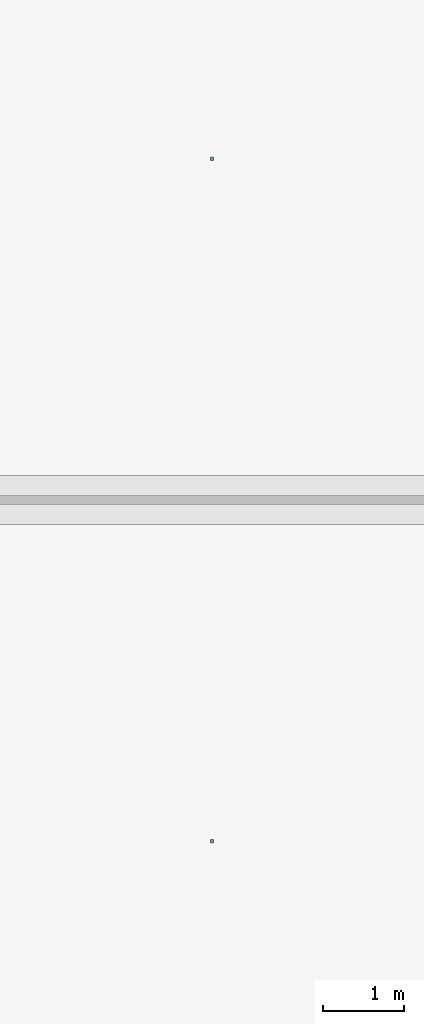
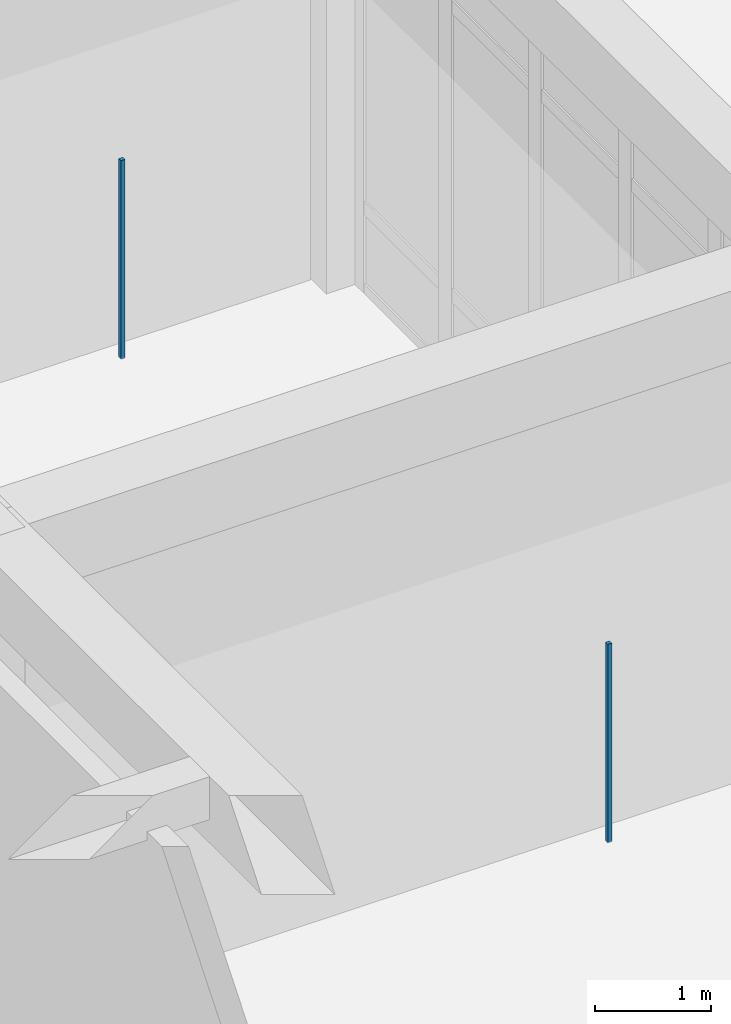
# One storey, part 87 of 167: 2 discrete accessories.
"""IFC4 building model written with IfcOpenShell, lengths in metres."""

from ifc_helpers import new_model, si_unit, direction, frame, origin, origin_2d, place, context, subcontext, project, spatial, rectangle, extrude, material, type_object, element, save


model = new_model("IFC4")

# Units and contexts
model_context = context("Model", 3, precision=1e-05, world=origin(), true_north=direction((0.0, 1.0)))
body_context = subcontext(model_context, "Body", "Model", "MODEL_VIEW")
ifc_project = project(units=[si_unit("LENGTHUNIT", "METRE"), si_unit("AREAUNIT", "SQUARE_METRE"), si_unit("VOLUMEUNIT", "CUBIC_METRE"), si_unit("PLANEANGLEUNIT", "RADIAN"), si_unit("MASSUNIT", "GRAM", prefix="KILO")], contexts=[model_context])

# Site, building, storey
site_placement = place(None, origin())
site = spatial("IfcSite", under=ifc_project, at=site_placement, CompositionType="ELEMENT")
building_placement = place(site_placement, origin())
building = spatial("IfcBuilding", under=site, at=building_placement, Name="Varncliffe General Hospital", CompositionType="ELEMENT")
storey_placement = place(building_placement, origin())
storey = spatial("IfcBuildingStorey", under=building, at=storey_placement, Name="L00", CompositionType="ELEMENT", Elevation=0.0)

# Discrete accessories
ifc_material = material(Name="Powder-coated hospital steel guardrail and handrail", Category="steel")
discrete_accessory_type = type_object("IfcDiscreteAccessoryType", Name="Suspended Ceiling Hanger Bracket CH01", PredefinedType="BRACKET", material=ifc_material)
for number, where, z_axis, x_axis, name in (
    (1, (20.60009765625, 45.0, 3.18994140625), (0.0, 0.0, 1.0), (1.0, 0.0, 0.0), "L00 Suspended Ceiling Hanger 30"),
    (2, (20.60009765625, 53.39990234375, 3.18994140625), (0.0, 0.0, 1.0), (1.0, 0.0, 0.0), "L00 Suspended Ceiling Hanger 31"),
):
    element("IfcDiscreteAccessory", number, at=place(storey_placement, frame(where, z_axis=z_axis, x_axis=x_axis)), inside=storey, type_object=discrete_accessory_type, Name=name, PredefinedType="BRACKET", context=body_context, shape_type="SweptSolid", body=[
        extrude(rectangle(XDim=0.0400390625, YDim=0.0400390625, at=origin_2d()), origin(), (0.0, 0.0, 1.0), 2.090087890625),
    ])

save(model, "model.ifc")
